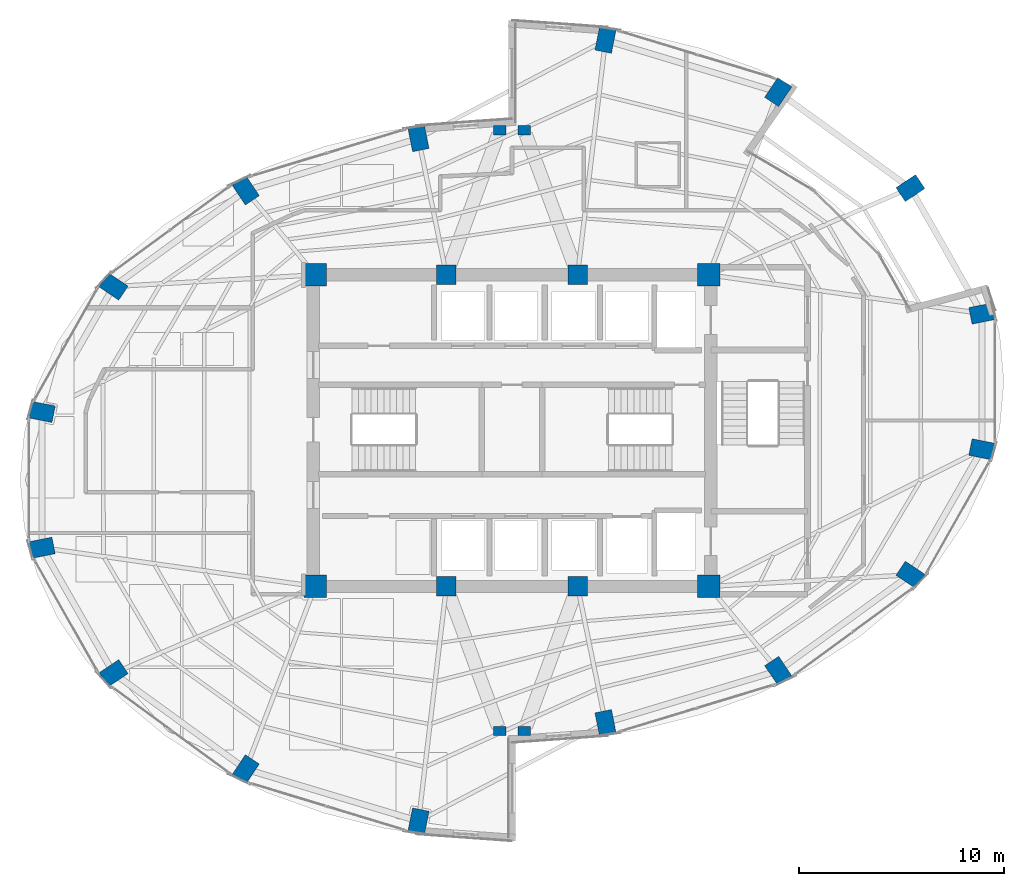
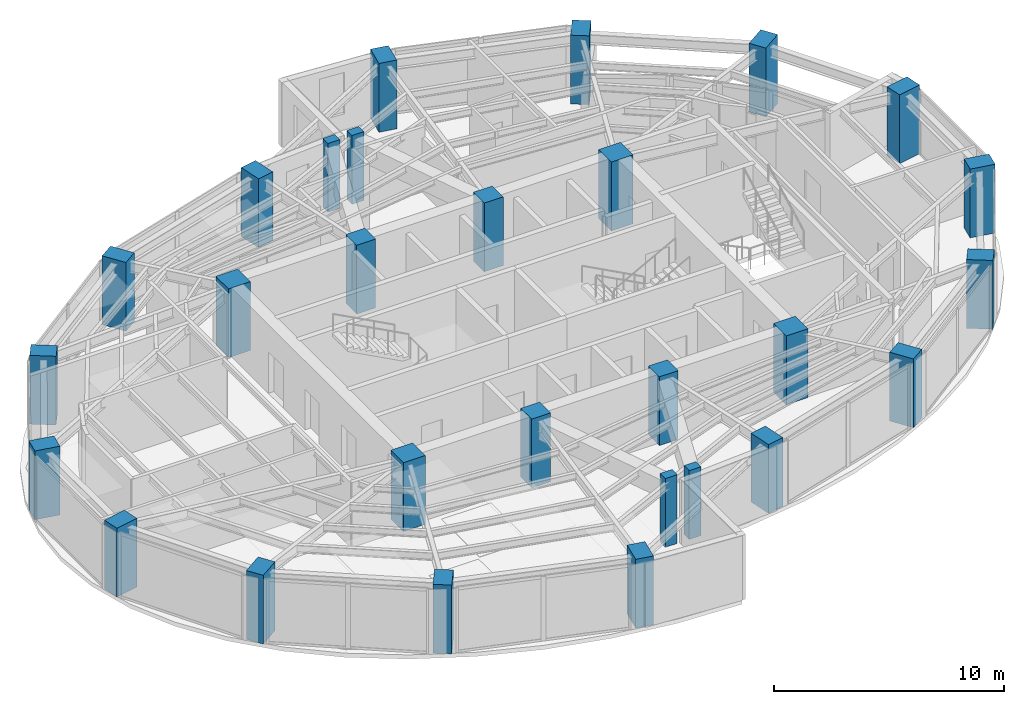
# One storey, part 1 of 19: 28 columns.
"""IFC4 building model written with IfcOpenShell, lengths in metres."""

from ifc_helpers import new_model, si_unit, direction, frame, origin, origin_2d, place, context, subcontext, project, spatial, rectangle, extrude, material, material_profile, profile_set, type_object, element, save


model = new_model("IFC4")

# Units and contexts
model_context = context("Model", 3, precision=1e-05, world=origin(), true_north=direction((0.0, 1.0)))
body_context = subcontext(model_context, "Body", "Model", "MODEL_VIEW")
ifc_project = project(units=[si_unit("LENGTHUNIT", "METRE"), si_unit("AREAUNIT", "SQUARE_METRE"), si_unit("VOLUMEUNIT", "CUBIC_METRE"), si_unit("PLANEANGLEUNIT", "RADIAN"), si_unit("MASSUNIT", "GRAM", prefix="KILO")], contexts=[model_context])

# Site, building, storey
site_placement = place(None, origin())
site = spatial("IfcSite", under=ifc_project, at=site_placement, CompositionType="ELEMENT")
building_placement = place(site_placement, origin())
building = spatial("IfcBuilding", under=site, at=building_placement, Name="Lazwardi Medical Tower", CompositionType="ELEMENT")
storey_placement = place(building_placement, frame((0.0, 0.0, 171.1201171875)))
storey = spatial("IfcBuildingStorey", under=building, at=storey_placement, Name="L44", CompositionType="ELEMENT", Elevation=171.1201171875)

# Columns
ifc_material_1 = material(Name="Concrete C80/95", Category="concrete")
ifc_material_profile_1 = material_profile(ifc_material_1, rectangle(XDim=1.10009765625, YDim=1.10009765625, at=origin_2d()), Name="RC 1100x1100")
ifc_profile_set_1 = profile_set([ifc_material_profile_1], Name="Concrete C80/95")
column_type_1 = type_object("IfcColumnType", Name="COL-CC-L", PredefinedType="COLUMN", material=ifc_profile_set_1)
for number, where, z_axis, x_axis, name in (
    (1, (26.39990234375, 20.39990234375, 0.0), (0.0, 0.0, 1.0), (1.0, 0.0, 0.0), "Core column CC-01 CC1 L44"),
    (2, (45.60009765625, 20.39990234375, 0.0), (0.0, 0.0, 1.0), (1.0, 0.0, 0.0), "Core column CC-01 CC4 L44"),
    (3, (45.60009765625, 35.60009765625, 0.0), (0.0, 0.0, 1.0), (1.0, 0.0, 0.0), "Core column CC-01 CC5 L44"),
    (4, (26.39990234375, 35.60009765625, 0.0), (0.0, 0.0, 1.0), (1.0, 0.0, 0.0), "Core column CC-01 CC8 L44"),
):
    element("IfcColumn", number, at=place(storey_placement, frame(where, z_axis=z_axis, x_axis=x_axis)), inside=storey, type_object=column_type_1, Name=name, PredefinedType="COLUMN", context=body_context, shape_type="SweptSolid", body=[
        extrude(rectangle(XDim=1.10009765625, YDim=1.10009765625, at=origin_2d()), origin(), (0.0, 0.0, 1.0), 3.64794921875),
    ])
ifc_material_2 = material(Name="Concrete C70/85", Category="concrete")
ifc_material_profile_2 = material_profile(ifc_material_2, rectangle(XDim=0.949951171875, YDim=0.949951171875, at=origin_2d()), Name="RC 950x950")
ifc_profile_set_2 = profile_set([ifc_material_profile_2], Name="Concrete C70/85")
column_type_2 = type_object("IfcColumnType", Name="COL-CC-M", PredefinedType="COLUMN", material=ifc_profile_set_2)
for number, where, z_axis, x_axis, name in (
    (5, (32.800048828125, 20.39990234375, 0.0), (0.0, 0.0, 1.0), (1.0, 0.0, 0.0), "Core column CC-02 CC2 L44"),
    (6, (39.199951171875, 20.39990234375, 0.0), (0.0, 0.0, 1.0), (1.0, 0.0, 0.0), "Core column CC-02 CC3 L44"),
    (7, (39.199951171875, 35.60009765625, 0.0), (0.0, 0.0, 1.0), (1.0, 0.0, 0.0), "Core column CC-02 CC6 L44"),
    (8, (32.800048828125, 35.60009765625, 0.0), (0.0, 0.0, 1.0), (1.0, 0.0, 0.0), "Core column CC-02 CC7 L44"),
):
    element("IfcColumn", number, at=place(storey_placement, frame(where, z_axis=z_axis, x_axis=x_axis)), inside=storey, type_object=column_type_2, Name=name, PredefinedType="COLUMN", context=body_context, shape_type="SweptSolid", body=[
        extrude(rectangle(XDim=0.949951171875, YDim=0.949951171875, at=origin_2d()), origin(), (0.0, 0.0, 1.0), 3.64794921875),
    ])
ifc_material_3 = material(Name="Concrete C60/75", Category="concrete")
ifc_material_profile_3 = material_profile(ifc_material_3, rectangle(XDim=1.14990234375, YDim=0.820068359375, at=origin_2d()), Name="CFT-RECT 1150x820")
ifc_profile_set_3 = profile_set([ifc_material_profile_3], Name="Concrete C60/75")
column_type_3 = type_object("IfcColumnType", Name="COL-MC-Z3", PredefinedType="COLUMN", material=ifc_profile_set_3)
for number, where, z_axis, x_axis, name in (
    (9, (40.560302734375, 13.751220703125, 0.0), (0.0, 0.0, 1.0), (0.195090322016, -0.980785280403, 0.0), "Mega column MC-05 M01 L44"),
    (10, (48.986572265625, 16.285888671875, 0.0), (0.0, 0.0, 1.0), (0.55557023302, -0.831469612303, 0.0), "Mega column MC-05 M02 L44"),
    (11, (55.435546875, 20.96923828125, 0.0), (0.0, 0.0, 1.0), (0.831469612303, -0.55557023302, 0.0), "Mega column MC-05 M03 L44"),
    (12, (58.92578125, 27.08837890625, 0.0), (0.0, 0.0, 1.0), (0.980785280403, -0.195090322016, 0.0), "Mega column MC-05 M04 L44"),
    (13, (58.92578125, 33.711669921875, 0.0), (0.0, 0.0, 1.0), (0.980785280403, 0.195090322016, 0.0), "Mega column MC-05 M05 L44"),
    (14, (55.435546875, 39.830810546875, 0.0), (0.0, 0.0, 1.0), (0.831469612303, 0.55557023302, 0.0), "Mega column MC-05 M06 L44"),
    (15, (48.986572265625, 44.51416015625, 0.0), (0.0, 0.0, 1.0), (0.55557023302, 0.831469612303, 0.0), "Mega column MC-05 M07 L44"),
    (16, (40.560302734375, 47.048828125, 0.0), (0.0, 0.0, 1.0), (0.195090322016, 0.980785280403, 0.0), "Mega column MC-05 M08 L44"),
    (17, (31.439697265625, 42.248779296875, 0.0), (0.0, 0.0, 1.0), (-0.195090322016, 0.980785280403, 0.0), "Mega column MC-05 M09 L44"),
    (18, (23.013427734375, 39.714111328125, 0.0), (0.0, 0.0, 1.0), (-0.55557023302, 0.831469612303, 0.0), "Mega column MC-05 M10 L44"),
    (19, (16.564453125, 35.03076171875, 0.0), (0.0, 0.0, 1.0), (-0.831469612303, 0.55557023302, 0.0), "Mega column MC-05 M11 L44"),
    (20, (13.07421875, 28.91162109375, 0.0), (0.0, 0.0, 1.0), (-0.980785280403, 0.195090322016, 0.0), "Mega column MC-05 M12 L44"),
    (21, (13.07421875, 22.288330078125, 0.0), (0.0, 0.0, 1.0), (-0.980785280403, -0.195090322016, 0.0), "Mega column MC-05 M13 L44"),
    (22, (16.564453125, 16.169189453125, 0.0), (0.0, 0.0, 1.0), (-0.831469612303, -0.55557023302, 0.0), "Mega column MC-05 M14 L44"),
    (23, (23.013427734375, 11.48583984375, 0.0), (0.0, 0.0, 1.0), (-0.55557023302, -0.831469612303, 0.0), "Mega column MC-05 M15 L44"),
    (24, (31.439697265625, 8.951171875, 0.0), (0.0, 0.0, 1.0), (-0.195090322016, -0.980785280403, 0.0), "Mega column MC-05 M16 L44"),
):
    element("IfcColumn", number, at=place(storey_placement, frame(where, z_axis=z_axis, x_axis=x_axis)), inside=storey, type_object=column_type_3, Name=name, PredefinedType="COLUMN", context=body_context, shape_type="SweptSolid", body=[
        extrude(rectangle(XDim=1.14990234375, YDim=0.820068359375, at=origin_2d()), origin(), (0.0, 0.0, 1.0), 3.64794921875),
    ])
ifc_material_profile_4 = material_profile(ifc_material_3, rectangle(XDim=0.60009765625, YDim=0.449951171875, at=origin_2d()), Name="RC 600x450")
ifc_profile_set_4 = profile_set([ifc_material_profile_4], Name="Concrete C60/75")
column_type_4 = type_object("IfcColumnType", Name="COL-PL-IW", PredefinedType="PILASTER", material=ifc_profile_set_4)
for number, where, z_axis, x_axis, name in (
    (25, (35.39990234375, 42.64990234375, 0.0), (0.0, 0.0, 1.0), (1.0, 0.0, 0.0), "Iwan pilaster column PL-C1 PL1 L44"),
    (26, (36.60009765625, 42.64990234375, 0.0), (0.0, 0.0, 1.0), (1.0, 0.0, 0.0), "Iwan pilaster column PL-C1 PL2 L44"),
    (27, (35.39990234375, 13.35009765625, 0.0), (0.0, 0.0, 1.0), (1.0, 0.0, 0.0), "Iwan pilaster column PL-C1 PL3 L44"),
    (28, (36.60009765625, 13.35009765625, 0.0), (0.0, 0.0, 1.0), (1.0, 0.0, 0.0), "Iwan pilaster column PL-C1 PL4 L44"),
):
    element("IfcColumn", number, at=place(storey_placement, frame(where, z_axis=z_axis, x_axis=x_axis)), inside=storey, type_object=column_type_4, Name=name, PredefinedType="PILASTER", context=body_context, shape_type="SweptSolid", body=[
        extrude(rectangle(XDim=0.60009765625, YDim=0.449951171875, at=origin_2d()), origin(), (0.0, 0.0, 1.0), 3.64794921875),
    ])

save(model, "model.ifc")
